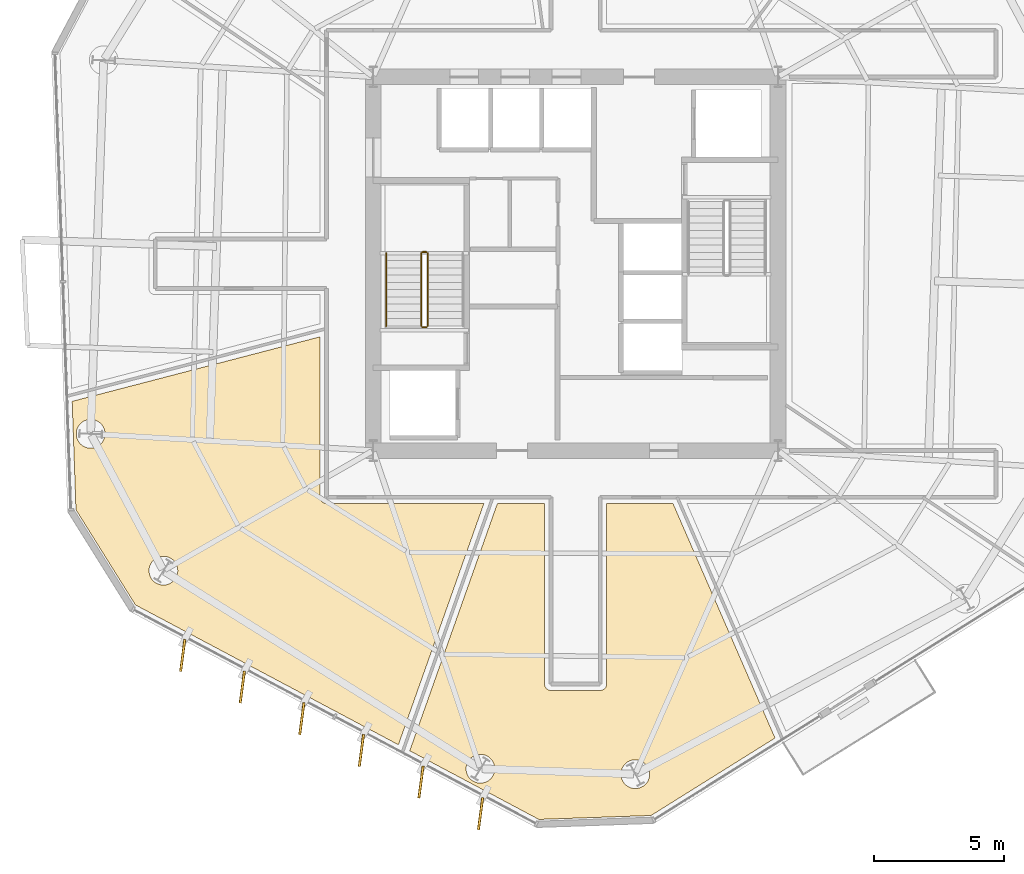
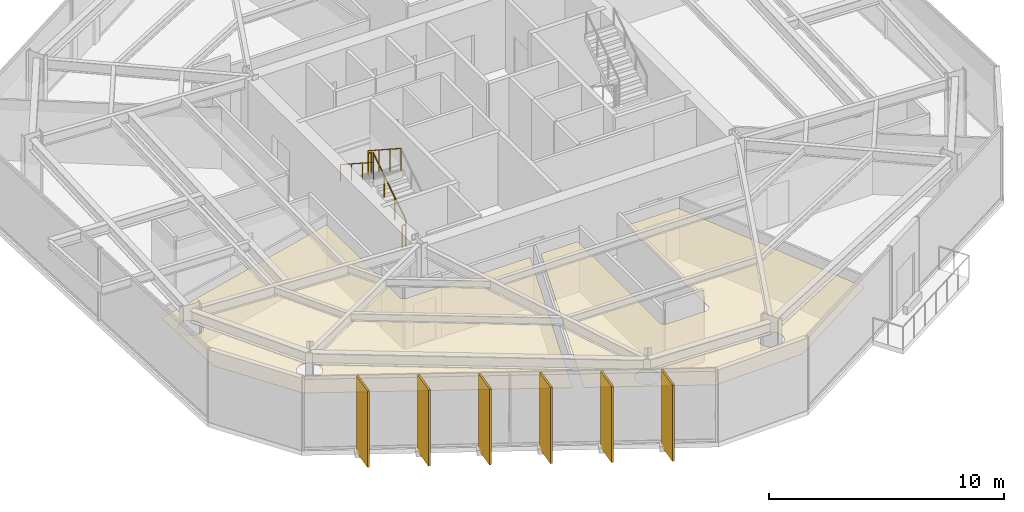
# One storey, part 9 of 12: 8 coverings, 6 shading devices, 5 railings.
"""IFC4 building model written with IfcOpenShell, lengths in metres."""

from ifc_helpers import new_model, si_unit, direction, frame, origin, origin_2d, place, context, subcontext, project, spatial, polyline, rectangle, circle, outline, extrude, material, layer, layer_set, type_object, element, save


model = new_model("IFC4")

# Units and contexts
model_context = context("Model", 3, precision=1e-05, world=origin(), true_north=direction((0.0, 1.0)))
body_context = subcontext(model_context, "Body", "Model", "MODEL_VIEW")
ifc_project = project(units=[si_unit("LENGTHUNIT", "METRE"), si_unit("AREAUNIT", "SQUARE_METRE"), si_unit("VOLUMEUNIT", "CUBIC_METRE"), si_unit("PLANEANGLEUNIT", "RADIAN"), si_unit("MASSUNIT", "GRAM", prefix="KILO")], contexts=[model_context])

# Site, building, storey
site_placement = place(None, origin())
site = spatial("IfcSite", under=ifc_project, at=site_placement, CompositionType="ELEMENT")
building_placement = place(site_placement, origin())
building = spatial("IfcBuilding", under=site, at=building_placement, Name="Kranzbogen Civic Tower", CompositionType="ELEMENT")
storey_placement = place(building_placement, frame((0.0, 0.0, 150.39990234375)))
storey = spatial("IfcBuildingStorey", under=building, at=storey_placement, Name="L36", CompositionType="ELEMENT", Elevation=150.39990234375)

# Coverings
ifc_material_1 = material(Name="Pale Anodised Aluminium", Category="aluminium")
ifc_layer_1 = layer(ifc_material_1, 0.02490234375, Name="Pale Anodised Aluminium")
ifc_layer_set_1 = layer_set([ifc_layer_1], Name="Pale Anodised Aluminium")
covering_type_1 = type_object("IfcCoveringType", Name="Anodised Aluminium Vertical Fin Cladding 25 mm", PredefinedType="CLADDING", material=ifc_layer_set_1)
for number, where, z_axis, x_axis, name in (
    (1, (9.85888671875, 9.906005859375, -0.139892578125), (0.0, 0.0, 1.0), (-0.132533184693, -0.991178568652, 0.0), "L36 vertical fin pale-metal cladding F4-1"),
    (2, (12.155029296875, 8.68505859375, -0.139892578125), (0.0, 0.0, 1.0), (-0.132533184693, -0.991178568652, 0.0), "L36 vertical fin pale-metal cladding F4-2"),
    (3, (14.449951171875, 7.465087890625, -0.139892578125), (0.0, 0.0, 1.0), (-0.132533184693, -0.991178568652, 0.0), "L36 vertical fin pale-metal cladding F4-3"),
    (4, (16.74609375, 6.243896484375, -0.139892578125), (0.0, 0.0, 1.0), (-0.132533184693, -0.991178568652, 0.0), "L36 vertical fin pale-metal cladding F4-4"),
    (5, (19.0419921875, 5.02294921875, -0.139892578125), (0.0, 0.0, 1.0), (-0.132533184693, -0.991178568652, 0.0), "L36 vertical fin pale-metal cladding F4-5"),
    (6, (21.3369140625, 3.802001953125, -0.139892578125), (0.0, 0.0, 1.0), (-0.132533184693, -0.991178568652, 0.0), "L36 vertical fin pale-metal cladding F4-6"),
):
    element("IfcCovering", number, at=place(storey_placement, frame(where, z_axis=z_axis, x_axis=x_axis)), inside=storey, type_object=covering_type_1, Name=name, PredefinedType="CLADDING", context=body_context, shape_type="SweptSolid", body=[
        extrude(rectangle(XDim=1.25, YDim=0.10009765625, at=origin_2d()), origin(), (0.0, 0.0, 1.0), 3.9599609375),
    ])

# Shading devices
ifc_material_2 = material(Name="Anodised Bronze Aluminium", Category="aluminium")
shading_device_type = type_object("IfcShadingDeviceType", Name="Anodised Bronze Vertical Facade Fin 1250x80", PredefinedType="USERDEFINED", material=ifc_material_2)
for number, where, z_axis, x_axis, name in (
    (7, (9.85888671875, 9.906005859375, -0.139892578125), (0.0, 0.0, 1.0), (-0.132533184693, -0.991178568652, 0.0), "L36 vertical exterior shading fin F4-1"),
    (8, (12.155029296875, 8.68505859375, -0.139892578125), (0.0, 0.0, 1.0), (-0.132533184693, -0.991178568652, 0.0), "L36 vertical exterior shading fin F4-2"),
    (9, (14.449951171875, 7.465087890625, -0.139892578125), (0.0, 0.0, 1.0), (-0.132533184693, -0.991178568652, 0.0), "L36 vertical exterior shading fin F4-3"),
    (10, (16.74609375, 6.243896484375, -0.139892578125), (0.0, 0.0, 1.0), (-0.132533184693, -0.991178568652, 0.0), "L36 vertical exterior shading fin F4-4"),
    (11, (19.0419921875, 5.02294921875, -0.139892578125), (0.0, 0.0, 1.0), (-0.132533184693, -0.991178568652, 0.0), "L36 vertical exterior shading fin F4-5"),
    (12, (21.3369140625, 3.802001953125, -0.139892578125), (0.0, 0.0, 1.0), (-0.132533184693, -0.991178568652, 0.0), "L36 vertical exterior shading fin F4-6"),
):
    element("IfcShadingDevice", number, at=place(storey_placement, frame(where, z_axis=z_axis, x_axis=x_axis)), inside=storey, type_object=shading_device_type, Name=name, ObjectType="FIN", PredefinedType="USERDEFINED", context=body_context, shape_type="SweptSolid", body=[
        extrude(rectangle(XDim=1.25, YDim=0.080078125, at=origin_2d()), origin(), (0.0, 0.0, 1.0), 3.9599609375),
    ])

# Railings
ifc_material_3 = material(Name="Steel S355", Category="steel")
railing_type_1 = type_object("IfcRailingType", Name="Internal Stair and Void Steel Guardrail 1150", PredefinedType="GUARDRAIL", material=ifc_material_3)
railing_1_placement = place(storey_placement, frame((19.300048828125, 22.60009765625, 0.181884765625)))
element("IfcRailing", 13, at=railing_1_placement, inside=storey, type_object=railing_type_1, Name="L36 ST-T1 stair guard 1", PredefinedType="GUARDRAIL", context=body_context, shape_type="SweptSolid", body=[
    extrude(circle(Radius=0.02392578125, at=origin_2d()), frame((0.0, 0.0, 1.1259765625), z_axis=(0.0, 0.83868413941, 0.544618136222), x_axis=(-1.0, 0.0, 0.0)), (0.0, 0.0, 1.0), 3.33837890625),
    extrude(circle(Radius=0.02099609375, at=origin_2d()), origin(), (0.0, 0.0, 1.0), 1.101806640625),
    extrude(circle(Radius=0.02099609375, at=origin_2d()), frame((0.0, 0.933349609375, 0.60595703125)), (0.0, 0.0, 1.0), 1.101806640625),
    extrude(circle(Radius=0.02099609375, at=origin_2d()), frame((0.0, 1.866455078125, 1.212158203125)), (0.0, 0.0, 1.0), 1.101806640625),
    extrude(circle(Radius=0.02099609375, at=origin_2d()), frame((0.0, 2.7998046875, 1.818115234375)), (0.0, 0.0, 1.0), 1.101806640625),
])
railing_2_placement = place(storey_placement, frame((19.25, 25.449951171875, 2.0)))
element("IfcRailing", 14, at=railing_2_placement, inside=storey, type_object=railing_type_1, Name="L36 ST-T1 stair guard 2", PredefinedType="GUARDRAIL", context=body_context, shape_type="SweptSolid", body=[
    extrude(circle(Radius=0.02392578125, at=origin_2d()), frame((0.0, 0.0, 1.1259765625), z_axis=(-1.0, 0.0, 0.0), x_axis=(0.0, -1.0, 0.0)), (0.0, 0.0, 1.0), 0.14990234375),
    extrude(circle(Radius=0.02099609375, at=origin_2d()), origin(), (0.0, 0.0, 1.0), 1.101806640625),
    extrude(circle(Radius=0.02099609375, at=origin_2d()), frame((-0.14990234375, 0.0, 0.0)), (0.0, 0.0, 1.0), 1.101806640625),
])
railing_3_placement = place(storey_placement, frame((19.050048828125, 25.39990234375, 2.181884765625)))
element("IfcRailing", 15, at=railing_3_placement, inside=storey, type_object=railing_type_1, Name="L36 ST-T1 stair guard 3", PredefinedType="GUARDRAIL", context=body_context, shape_type="SweptSolid", body=[
    extrude(circle(Radius=0.02392578125, at=origin_2d()), frame((0.0, 0.0, 1.1259765625), z_axis=(0.0, -0.83868413941, 0.544618136222), x_axis=(1.0, 0.0, 0.0)), (0.0, 0.0, 1.0), 3.33837890625),
    extrude(circle(Radius=0.02099609375, at=origin_2d()), origin(), (0.0, 0.0, 1.0), 1.101806640625),
    extrude(circle(Radius=0.02099609375, at=origin_2d()), frame((0.0, -0.933349609375, 0.60595703125)), (0.0, 0.0, 1.0), 1.101806640625),
    extrude(circle(Radius=0.02099609375, at=origin_2d()), frame((0.0, -1.866455078125, 1.212158203125)), (0.0, 0.0, 1.0), 1.101806640625),
    extrude(circle(Radius=0.02099609375, at=origin_2d()), frame((0.0, -2.7998046875, 1.818115234375)), (0.0, 0.0, 1.0), 1.101806640625),
])
railing_4_placement = place(storey_placement, frame((19.25, 22.550048828125, 0.0)))
element("IfcRailing", 16, at=railing_4_placement, inside=storey, type_object=railing_type_1, Name="L36 ST-T1 stair guard 4", PredefinedType="GUARDRAIL", context=body_context, shape_type="SweptSolid", body=[
    extrude(circle(Radius=0.02392578125, at=origin_2d()), frame((0.0, 0.0, 1.1259765625), z_axis=(-1.0, 0.0, 0.0), x_axis=(0.0, -1.0, 0.0)), (0.0, 0.0, 1.0), 0.14990234375),
    extrude(circle(Radius=0.02099609375, at=origin_2d()), origin(), (0.0, 0.0, 1.0), 1.101806640625),
    extrude(circle(Radius=0.02099609375, at=origin_2d()), frame((-0.14990234375, 0.0, 0.0)), (0.0, 0.0, 1.0), 1.101806640625),
])

# Coverings
ifc_material_4 = material(Name="Perforated Acoustic Gypsum Ceiling")
ifc_layer_2 = layer(ifc_material_4, 0.02490234375, Name="Perforated Acoustic Gypsum Ceiling")
ifc_layer_set_2 = layer_set([ifc_layer_2], Name="Perforated Acoustic Gypsum Ceiling")
covering_type_2 = type_object("IfcCoveringType", Name="Perforated Acoustic Mineral Ceiling Tile 25 mm", PredefinedType="CEILING", material=ifc_layer_set_2)
covering_1_placement = place(storey_placement, frame((0.0, 0.0, 2.75)))
element("IfcCovering", 17, at=covering_1_placement, inside=storey, type_object=covering_type_2, Name="L36 Executive Briefing Conference Room acoustic ceiling", PredefinedType="CEILING", context=body_context, shape_type="SweptSolid", body=[
    extrude(outline(polyline([(5.743896484375, 15.51806640625), (5.597900390625, 19.696044921875), (15.155029296875, 22.18408203125), (15.155029296875, 16.0), (15.155029296875, 15.990966796875), (15.156005859375, 15.985107421875), (15.156982421875, 15.967041015625), (15.157958984375, 15.9609375), (15.162109375, 15.944091796875), (15.1630859375, 15.93701171875), (15.16796875, 15.919921875), (15.169921875, 15.9140625), (15.177001953125, 15.89794921875), (15.179931640625, 15.89208984375), (15.18798828125, 15.876953125), (15.19189453125, 15.87109375), (15.200927734375, 15.85693359375), (15.205078125, 15.85205078125), (15.216064453125, 15.837890625), (15.220947265625, 15.8330078125), (15.23291015625, 15.821044921875), (15.238037109375, 15.81591796875), (15.251953125, 15.804931640625), (15.257080078125, 15.801025390625), (15.27099609375, 15.7919921875), (15.277099609375, 15.7880859375), (15.2919921875, 15.780029296875), (15.298095703125, 15.777099609375), (15.31396484375, 15.77001953125), (15.320068359375, 15.76806640625), (15.3369140625, 15.762939453125), (15.343994140625, 15.761962890625), (15.361083984375, 15.758056640625), (15.366943359375, 15.757080078125), (15.385009765625, 15.756103515625), (15.39111328125, 15.7548828125), (15.39990234375, 15.7548828125), (21.464111328125, 15.7548828125), (18.1708984375, 6.4609375), (8.035888671875, 11.85009765625), (5.743896484375, 15.51806640625)]), holes=[polyline([(9.6259765625, 12.958984375), (9.60302734375, 12.909912109375), (9.574951171875, 12.863037109375), (9.54296875, 12.819091796875), (9.506103515625, 12.779052734375), (9.466064453125, 12.741943359375), (9.422119140625, 12.7099609375), (9.375, 12.681884765625), (9.325927734375, 12.658935546875), (9.27490234375, 12.64111328125), (9.221923828125, 12.626953125), (9.16796875, 12.618896484375), (9.114013671875, 12.616943359375), (9.06005859375, 12.618896484375), (9.006103515625, 12.626953125), (8.952880859375, 12.64111328125), (8.902099609375, 12.658935546875), (8.85302734375, 12.681884765625), (8.805908203125, 12.7099609375), (8.761962890625, 12.741943359375), (8.721923828125, 12.779052734375), (8.68505859375, 12.819091796875), (8.653076171875, 12.863037109375), (8.625, 12.909912109375), (8.60205078125, 12.958984375), (8.583984375, 13.010009765625), (8.570068359375, 13.06298828125), (8.56201171875, 13.116943359375), (8.56005859375, 13.1708984375), (8.56201171875, 13.22509765625), (8.570068359375, 13.279052734375), (8.583984375, 13.33203125), (8.60205078125, 13.383056640625), (8.625, 13.431884765625), (8.653076171875, 13.47900390625), (8.68505859375, 13.52294921875), (8.721923828125, 13.56298828125), (8.761962890625, 13.60009765625), (8.805908203125, 13.632080078125), (8.85302734375, 13.659912109375), (8.902099609375, 13.68310546875), (8.952880859375, 13.700927734375), (9.006103515625, 13.715087890625), (9.06005859375, 13.722900390625), (9.114013671875, 13.72509765625), (9.16796875, 13.722900390625), (9.221923828125, 13.715087890625), (9.27490234375, 13.700927734375), (9.325927734375, 13.68310546875), (9.375, 13.659912109375), (9.422119140625, 13.632080078125), (9.466064453125, 13.60009765625), (9.506103515625, 13.56298828125), (9.54296875, 13.52294921875), (9.574951171875, 13.47900390625), (9.60302734375, 13.431884765625), (9.6259765625, 13.383056640625), (9.64404296875, 13.33203125), (9.657958984375, 13.279052734375), (9.666015625, 13.22509765625), (9.66796875, 13.1708984375), (9.666015625, 13.116943359375), (9.657958984375, 13.06298828125), (9.64404296875, 13.010009765625), (9.6259765625, 12.958984375)]), polyline([(6.822021484375, 18.23193359375), (6.799072265625, 18.18310546875), (6.77099609375, 18.135986328125), (6.739013671875, 18.092041015625), (6.701904296875, 18.052001953125), (6.662109375, 18.014892578125), (6.617919921875, 17.98291015625), (6.571044921875, 17.955078125), (6.52197265625, 17.931884765625), (6.470947265625, 17.9140625), (6.41796875, 17.89990234375), (6.364013671875, 17.89208984375), (6.31005859375, 17.889892578125), (6.256103515625, 17.89208984375), (6.201904296875, 17.89990234375), (6.14892578125, 17.9140625), (6.097900390625, 17.931884765625), (6.049072265625, 17.955078125), (6.001953125, 17.98291015625), (5.9580078125, 18.014892578125), (5.91796875, 18.052001953125), (5.881103515625, 18.092041015625), (5.84912109375, 18.135986328125), (5.821044921875, 18.18310546875), (5.798095703125, 18.23193359375), (5.780029296875, 18.282958984375), (5.76611328125, 18.3359375), (5.758056640625, 18.389892578125), (5.756103515625, 18.444091796875), (5.758056640625, 18.498046875), (5.76611328125, 18.552001953125), (5.780029296875, 18.60498046875), (5.798095703125, 18.656005859375), (5.821044921875, 18.705078125), (5.84912109375, 18.751953125), (5.881103515625, 18.7958984375), (5.91796875, 18.8359375), (5.9580078125, 18.873046875), (6.001953125, 18.905029296875), (6.049072265625, 18.93310546875), (6.097900390625, 18.9560546875), (6.14892578125, 18.97412109375), (6.201904296875, 18.988037109375), (6.256103515625, 18.99609375), (6.31005859375, 18.998046875), (6.364013671875, 18.99609375), (6.41796875, 18.988037109375), (6.470947265625, 18.97412109375), (6.52197265625, 18.9560546875), (6.571044921875, 18.93310546875), (6.617919921875, 18.905029296875), (6.662109375, 18.873046875), (6.701904296875, 18.8359375), (6.739013671875, 18.7958984375), (6.77099609375, 18.751953125), (6.799072265625, 18.705078125), (6.822021484375, 18.656005859375), (6.840087890625, 18.60498046875), (6.85400390625, 18.552001953125), (6.862060546875, 18.498046875), (6.864013671875, 18.444091796875), (6.862060546875, 18.389892578125), (6.85400390625, 18.3359375), (6.840087890625, 18.282958984375), (6.822021484375, 18.23193359375)])]), origin(), (0.0, 0.0, 1.0), 0.025146484375),
])
covering_2_placement = place(storey_placement, frame((0.0, 0.0, 2.75)))
element("IfcCovering", 18, at=covering_2_placement, inside=storey, type_object=covering_type_2, Name="L36 Parliamentary Review Boardroom acoustic ceiling", PredefinedType="CEILING", context=body_context, shape_type="SweptSolid", body=[
    extrude(outline(polyline([(23.583984375, 3.5830078125), (18.60791015625, 6.22900390625), (21.98388671875, 15.7548828125), (23.804931640625, 15.7548828125), (23.804931640625, 8.800048828125), (23.804931640625, 8.791015625), (23.805908203125, 8.784912109375), (23.806884765625, 8.76708984375), (23.80810546875, 8.760986328125), (23.81201171875, 8.743896484375), (23.81298828125, 8.737060546875), (23.818115234375, 8.719970703125), (23.820068359375, 8.714111328125), (23.826904296875, 8.697998046875), (23.830078125, 8.69189453125), (23.837890625, 8.677001953125), (23.842041015625, 8.6708984375), (23.85107421875, 8.656982421875), (23.85498046875, 8.652099609375), (23.865966796875, 8.637939453125), (23.87109375, 8.633056640625), (23.883056640625, 8.62109375), (23.887939453125, 8.615966796875), (23.902099609375, 8.60498046875), (23.906982421875, 8.60107421875), (23.9208984375, 8.592041015625), (23.927001953125, 8.587890625), (23.94189453125, 8.580078125), (23.947998046875, 8.576904296875), (23.964111328125, 8.570068359375), (23.969970703125, 8.568115234375), (23.987060546875, 8.56298828125), (23.993896484375, 8.56201171875), (24.010986328125, 8.55810546875), (24.01708984375, 8.556884765625), (24.034912109375, 8.555908203125), (24.041015625, 8.554931640625), (24.050048828125, 8.554931640625), (25.949951171875, 8.554931640625), (25.958984375, 8.554931640625), (25.965087890625, 8.555908203125), (25.98291015625, 8.556884765625), (25.989013671875, 8.55810546875), (26.006103515625, 8.56201171875), (26.012939453125, 8.56298828125), (26.030029296875, 8.568115234375), (26.035888671875, 8.570068359375), (26.052001953125, 8.576904296875), (26.05810546875, 8.580078125), (26.072998046875, 8.587890625), (26.0791015625, 8.592041015625), (26.093017578125, 8.60107421875), (26.097900390625, 8.60498046875), (26.112060546875, 8.615966796875), (26.116943359375, 8.62109375), (26.12890625, 8.633056640625), (26.134033203125, 8.637939453125), (26.14501953125, 8.652099609375), (26.14892578125, 8.656982421875), (26.157958984375, 8.6708984375), (26.162109375, 8.677001953125), (26.169921875, 8.69189453125), (26.173095703125, 8.697998046875), (26.179931640625, 8.714111328125), (26.181884765625, 8.719970703125), (26.18701171875, 8.737060546875), (26.18798828125, 8.743896484375), (26.19189453125, 8.760986328125), (26.193115234375, 8.76708984375), (26.194091796875, 8.784912109375), (26.195068359375, 8.791015625), (26.195068359375, 8.800048828125), (26.195068359375, 15.7548828125), (28.7548828125, 15.7548828125), (32.68603515625, 6.719970703125), (27.906982421875, 3.73388671875), (23.583984375, 3.5830078125)]), holes=[polyline([(21.843994140625, 5.323974609375), (21.821044921875, 5.27490234375), (21.79296875, 5.22802734375), (21.760986328125, 5.18408203125), (21.72412109375, 5.14404296875), (21.68408203125, 5.10693359375), (21.639892578125, 5.074951171875), (21.593017578125, 5.047119140625), (21.5439453125, 5.02392578125), (21.492919921875, 5.006103515625), (21.43994140625, 4.991943359375), (21.385986328125, 4.98388671875), (21.33203125, 4.98193359375), (21.278076171875, 4.98388671875), (21.22412109375, 4.991943359375), (21.1708984375, 5.006103515625), (21.1201171875, 5.02392578125), (21.071044921875, 5.047119140625), (21.02392578125, 5.074951171875), (20.97998046875, 5.10693359375), (20.93994140625, 5.14404296875), (20.903076171875, 5.18408203125), (20.87109375, 5.22802734375), (20.843017578125, 5.27490234375), (20.820068359375, 5.323974609375), (20.802001953125, 5.375), (20.7880859375, 5.427978515625), (20.780029296875, 5.48193359375), (20.778076171875, 5.535888671875), (20.780029296875, 5.590087890625), (20.7880859375, 5.64404296875), (20.802001953125, 5.697021484375), (20.820068359375, 5.748046875), (20.843017578125, 5.797119140625), (20.87109375, 5.843994140625), (20.903076171875, 5.887939453125), (20.93994140625, 5.927978515625), (20.97998046875, 5.965087890625), (21.02392578125, 5.9970703125), (21.071044921875, 6.02490234375), (21.1201171875, 6.048095703125), (21.1708984375, 6.06591796875), (21.22412109375, 6.080078125), (21.278076171875, 6.087890625), (21.33203125, 6.090087890625), (21.385986328125, 6.087890625), (21.43994140625, 6.080078125), (21.492919921875, 6.06591796875), (21.5439453125, 6.048095703125), (21.593017578125, 6.02490234375), (21.639892578125, 5.9970703125), (21.68408203125, 5.965087890625), (21.72412109375, 5.927978515625), (21.760986328125, 5.887939453125), (21.79296875, 5.843994140625), (21.821044921875, 5.797119140625), (21.843994140625, 5.748046875), (21.862060546875, 5.697021484375), (21.8759765625, 5.64404296875), (21.884033203125, 5.590087890625), (21.885986328125, 5.535888671875), (21.884033203125, 5.48193359375), (21.8759765625, 5.427978515625), (21.862060546875, 5.375), (21.843994140625, 5.323974609375)]), polyline([(27.81298828125, 5.115966796875), (27.7900390625, 5.06689453125), (27.761962890625, 5.02001953125), (27.72998046875, 4.97607421875), (27.693115234375, 4.93603515625), (27.653076171875, 4.89892578125), (27.60888671875, 4.866943359375), (27.56201171875, 4.839111328125), (27.512939453125, 4.81591796875), (27.4619140625, 4.798095703125), (27.408935546875, 4.783935546875), (27.35498046875, 4.77587890625), (27.301025390625, 4.77392578125), (27.2470703125, 4.77587890625), (27.193115234375, 4.783935546875), (27.139892578125, 4.798095703125), (27.089111328125, 4.81591796875), (27.0400390625, 4.839111328125), (26.992919921875, 4.866943359375), (26.948974609375, 4.89892578125), (26.908935546875, 4.93603515625), (26.8720703125, 4.97607421875), (26.840087890625, 5.02001953125), (26.81201171875, 5.06689453125), (26.7890625, 5.115966796875), (26.77099609375, 5.1669921875), (26.757080078125, 5.219970703125), (26.7490234375, 5.27392578125), (26.7470703125, 5.327880859375), (26.7490234375, 5.382080078125), (26.757080078125, 5.43603515625), (26.77099609375, 5.489013671875), (26.7890625, 5.5400390625), (26.81201171875, 5.589111328125), (26.840087890625, 5.635986328125), (26.8720703125, 5.679931640625), (26.908935546875, 5.719970703125), (26.948974609375, 5.757080078125), (26.992919921875, 5.7890625), (27.0400390625, 5.81689453125), (27.089111328125, 5.840087890625), (27.139892578125, 5.85791015625), (27.193115234375, 5.8720703125), (27.2470703125, 5.8798828125), (27.301025390625, 5.882080078125), (27.35498046875, 5.8798828125), (27.408935546875, 5.8720703125), (27.4619140625, 5.85791015625), (27.512939453125, 5.840087890625), (27.56201171875, 5.81689453125), (27.60888671875, 5.7890625), (27.653076171875, 5.757080078125), (27.693115234375, 5.719970703125), (27.72998046875, 5.679931640625), (27.761962890625, 5.635986328125), (27.7900390625, 5.589111328125), (27.81298828125, 5.5400390625), (27.8310546875, 5.489013671875), (27.844970703125, 5.43603515625), (27.85302734375, 5.382080078125), (27.85498046875, 5.327880859375), (27.85302734375, 5.27392578125), (27.844970703125, 5.219970703125), (27.8310546875, 5.1669921875), (27.81298828125, 5.115966796875)])]), origin(), (0.0, 0.0, 1.0), 0.025146484375),
])

# Railing
railing_type_2 = type_object("IfcRailingType", Name="Tubular Stainless Stair Wall Handrail 900", PredefinedType="HANDRAIL", material=ifc_material_1)
railing_5_placement = place(storey_placement, frame((17.699951171875, 25.39990234375, 2.181884765625)))
element("IfcRailing", 19, at=railing_5_placement, inside=storey, type_object=railing_type_2, Name="L36 ST-T1 stair handrail 2", PredefinedType="HANDRAIL", context=body_context, shape_type="SweptSolid", body=[
    extrude(circle(Radius=0.02392578125, at=origin_2d()), frame((0.0, 0.0, 0.8759765625), z_axis=(0.0, -0.83868413941, 0.544618136222), x_axis=(1.0, 0.0, 0.0)), (0.0, 0.0, 1.0), 3.33837890625),
    extrude(circle(Radius=0.02099609375, at=origin_2d()), origin(), (0.0, 0.0, 1.0), 0.851806640625),
    extrude(circle(Radius=0.02099609375, at=origin_2d()), frame((0.0, -0.933349609375, 0.60595703125)), (0.0, 0.0, 1.0), 0.851806640625),
    extrude(circle(Radius=0.02099609375, at=origin_2d()), frame((0.0, -1.866455078125, 1.212158203125)), (0.0, 0.0, 1.0), 0.851806640625),
    extrude(circle(Radius=0.02099609375, at=origin_2d()), frame((0.0, -2.7998046875, 1.818115234375)), (0.0, 0.0, 1.0), 0.851806640625),
])

save(model, "model.ifc")
